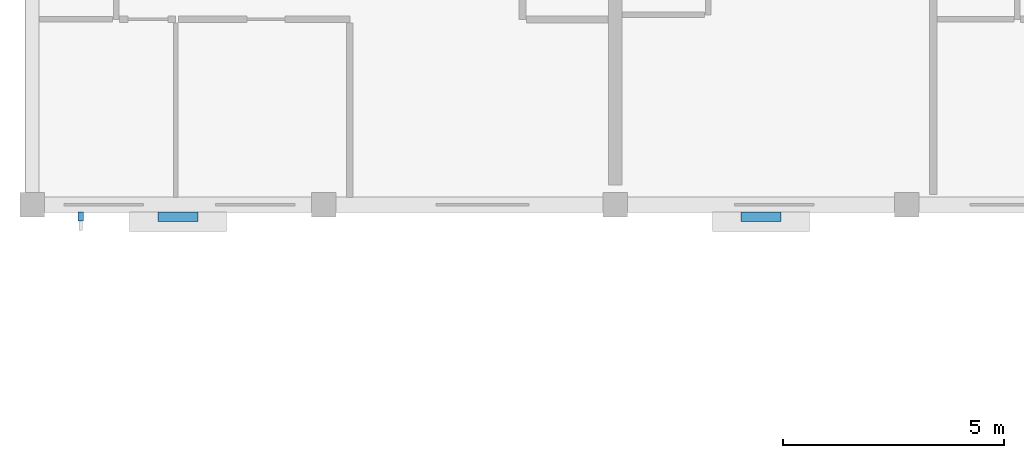
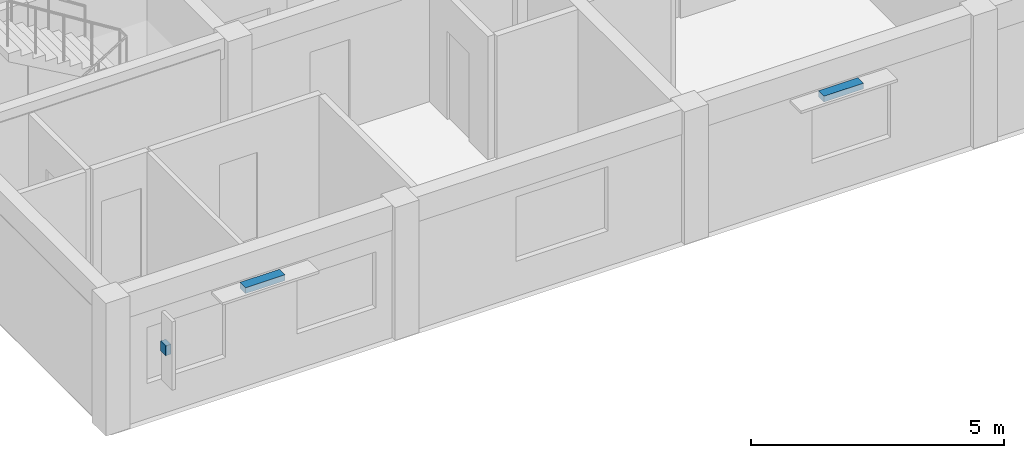
# One storey, part 44 of 53: 3 discrete accessories.
"""IFC4 building model written with IfcOpenShell, lengths in metres."""

from ifc_helpers import new_model, si_unit, direction, frame, origin, origin_2d, place, context, subcontext, project, spatial, rectangle, extrude, material, type_object, element, save


model = new_model("IFC4")

# Units and contexts
model_context = context("Model", 3, precision=1e-05, world=origin(), true_north=direction((0.0, 1.0)))
body_context = subcontext(model_context, "Body", "Model", "MODEL_VIEW")
ifc_project = project(units=[si_unit("LENGTHUNIT", "METRE"), si_unit("AREAUNIT", "SQUARE_METRE"), si_unit("VOLUMEUNIT", "CUBIC_METRE"), si_unit("PLANEANGLEUNIT", "RADIAN"), si_unit("MASSUNIT", "GRAM", prefix="KILO")], contexts=[model_context])

# Site, building, storey
site_placement = place(None, origin())
site = spatial("IfcSite", under=ifc_project, at=site_placement, CompositionType="ELEMENT")
building_placement = place(site_placement, origin())
building = spatial("IfcBuilding", under=site, at=building_placement, Name="Kernevlak Ridge Housing Community", CompositionType="ELEMENT")
storey_placement = place(building_placement, frame((0.0, 0.0, 24.39990234375)))
storey = spatial("IfcBuildingStorey", under=building, at=storey_placement, Name="L07", CompositionType="ELEMENT", Elevation=24.39990234375)

# Discrete accessories
ifc_material = material(Name="Steel S355 galvanised", Category="steel")
discrete_accessory_type = type_object("IfcDiscreteAccessoryType", Name="BK-01", PredefinedType="BRACKET", material=ifc_material)
discrete_accessory_1_placement = place(storey_placement, frame((18.89990234375, 75.72998046875, 2.41015625), z_axis=(0.0, 0.0, 1.0), x_axis=(1.0, 0.0, 0.0)))
element("IfcDiscreteAccessory", 1, at=discrete_accessory_1_placement, inside=storey, type_object=discrete_accessory_type, Name="Sunshade steel bracket 5", PredefinedType="BRACKET", context=body_context, shape_type="SweptSolid", body=[
    extrude(rectangle(XDim=0.89990234375, YDim=0.219970703125, at=origin_2d()), origin(), (0.0, 0.0, 1.0), 0.139892578125),
])
discrete_accessory_2_placement = place(storey_placement, frame((16.699951171875, 75.739990234375, 1.5302734375), z_axis=(0.0, 0.0, 1.0), x_axis=(1.0, 0.0, 0.0)))
element("IfcDiscreteAccessory", 2, at=discrete_accessory_2_placement, inside=storey, type_object=discrete_accessory_type, Name="Vertical fin fixing bracket 5", PredefinedType="BRACKET", context=body_context, shape_type="SweptSolid", body=[
    extrude(rectangle(XDim=0.1201171875, YDim=0.199951171875, at=origin_2d()), origin(), (0.0, 0.0, 1.0), 0.239990234375),
])
discrete_accessory_3_placement = place(storey_placement, frame((32.10009765625, 75.72998046875, 2.41015625), z_axis=(0.0, 0.0, 1.0), x_axis=(1.0, 0.0, 0.0)))
element("IfcDiscreteAccessory", 3, at=discrete_accessory_3_placement, inside=storey, type_object=discrete_accessory_type, Name="Sunshade steel bracket 6", PredefinedType="BRACKET", context=body_context, shape_type="SweptSolid", body=[
    extrude(rectangle(XDim=0.89990234375, YDim=0.219970703125, at=origin_2d()), origin(), (0.0, 0.0, 1.0), 0.139892578125),
])

save(model, "model.ifc")
